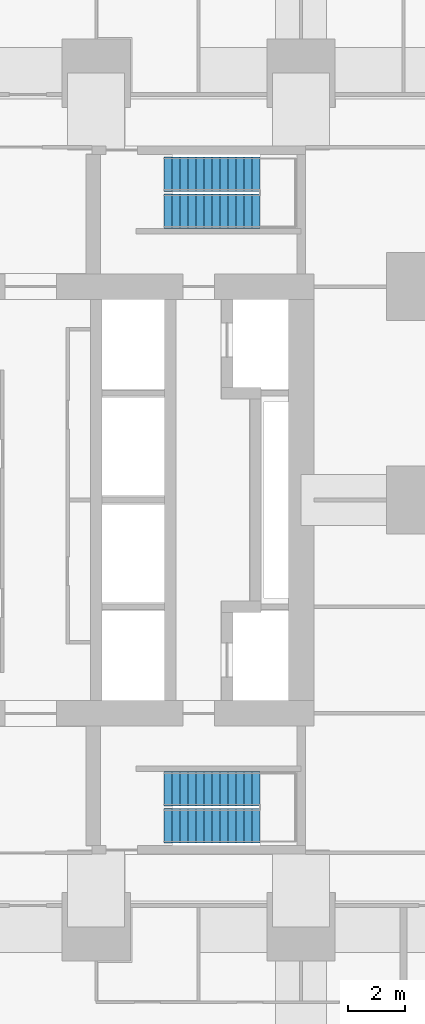
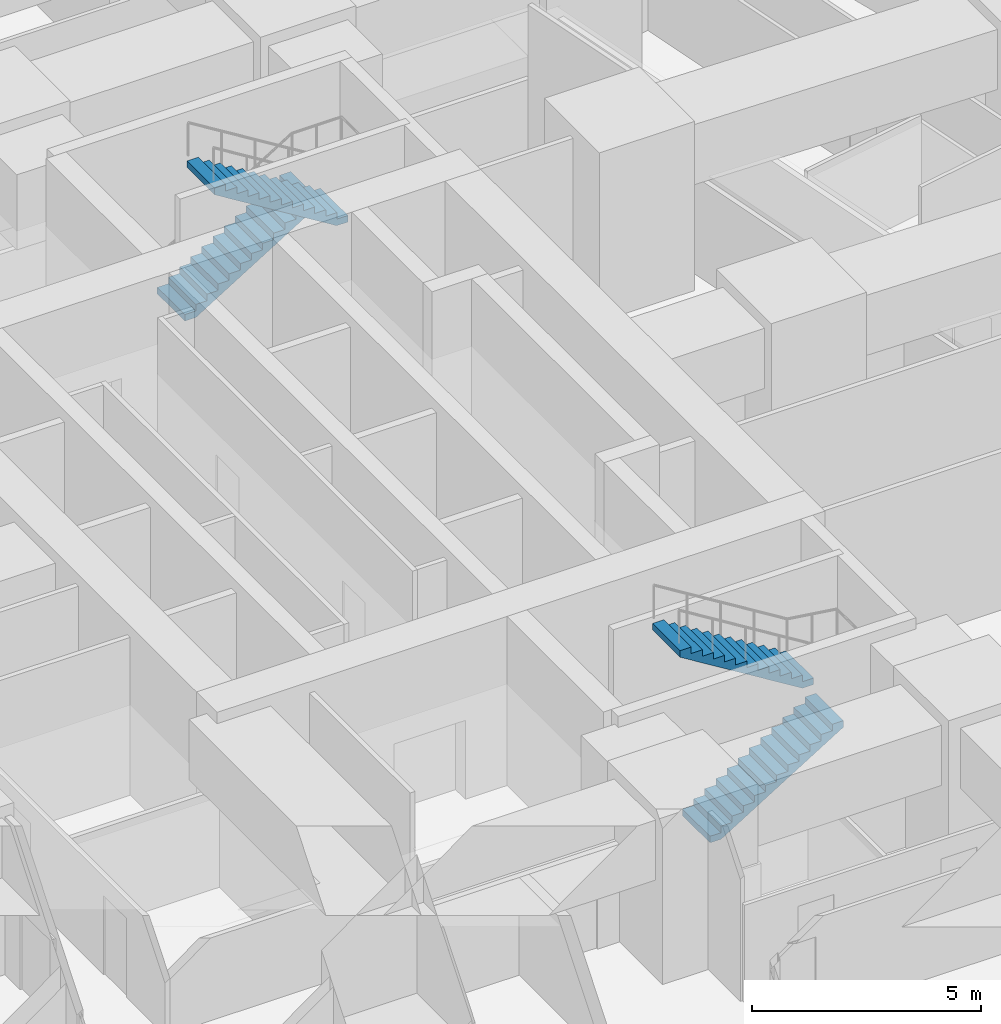
# One storey, part 20 of 22: 4 stair flights, 2 elements without a shape of their own.
"""IFC4 building model written with IfcOpenShell, lengths in metres."""

import ifcopenshell
import ifcopenshell.guid

model = None  # the IFC model being written
_history = None  # IfcOwnerHistory: only IFC2X3 demands one
_inside = {}  # id of a spatial element -> (the spatial element, [elements in it])
_under = {}  # id of a project, library or spatial element -> (it, [spatial elements below it])
_declared = {}  # id of a project -> (the project, [libraries it declares])
_typed = {}  # id of a type object -> (the type object, [elements of that type])
_made_of = {}  # id of a material, layer set ... -> (it, [elements and type objects made of it])


def new_model(schema):
    """Start an empty IFC model of exactly this schema.

    Asked for "IFC4X3", IfcOpenShell would pick the latest addendum, in which some entities
    have other attributes; the version numbers below select the first issue.
    IFC2X3 requires an IfcOwnerHistory on every rooted entity: one is made here for all.
    """
    global model, _history
    if schema == "IFC4X3":
        model = ifcopenshell.file(schema_version=(4, 3, 0, 0))
    else:
        model = ifcopenshell.file(schema=schema)
    _inside.clear()
    _under.clear()
    _declared.clear()
    _typed.clear()
    _made_of.clear()
    _history = None
    if model.schema == "IFC2X3":
        org = make("IfcOrganization", Name="unknown")
        user = make(
            "IfcPersonAndOrganization",
            ThePerson=make("IfcPerson", FamilyName="unknown"),
            TheOrganization=org,
        )
        app = make(
            "IfcApplication",
            ApplicationDeveloper=org,
            Version="unknown",
            ApplicationFullName="unknown",
            ApplicationIdentifier="unknown",
        )
        _history = make(
            "IfcOwnerHistory",
            OwningUser=user,
            OwningApplication=app,
            ChangeAction="ADDED",
            CreationDate=0,
        )
    return model


def make(cls, **values):
    """One entity of the class cls with the attributes given. An attribute that is None is left unset."""
    return model.create_entity(
        cls, **{name: value for name, value in values.items() if value is not None}
    )


def rooted(cls, **values):
    """An entity with a GlobalId (a new one), such as an element, a storey or a relation."""
    return make(cls, GlobalId=ifcopenshell.guid.new(), OwnerHistory=_history, **values)


def si_unit(unit_type, name, prefix=None):
    """IfcSIUnit, for example si_unit("LENGTHUNIT", "METRE", prefix="MILLI")."""
    return make("IfcSIUnit", UnitType=unit_type, Prefix=prefix, Name=name)


def assignment(units):
    """IfcUnitAssignment: the units of a project."""
    return None if units is None else make("IfcUnitAssignment", Units=units)


def point(xyz):
    """IfcCartesianPoint."""
    return None if xyz is None else make("IfcCartesianPoint", Coordinates=xyz)


def direction(xyz):
    """IfcDirection."""
    return None if xyz is None else make("IfcDirection", DirectionRatios=xyz)


def frame(location, z_axis=None, x_axis=None):
    """IfcAxis2Placement3D, a coordinate frame: its origin and axes. An axis left out is left unset."""
    return make(
        "IfcAxis2Placement3D",
        Location=point(location),
        Axis=direction(z_axis),
        RefDirection=direction(x_axis),
    )


def origin():
    """The frame at (0, 0, 0) with its axes left unset."""
    return frame((0.0, 0.0, 0.0))


def place(relative_to, where):
    """IfcLocalPlacement: puts the frame where relative to a parent placement (None: the world)."""
    return make(
        "IfcLocalPlacement", PlacementRelTo=relative_to, RelativePlacement=where
    )


def context(
    kind, dimensions, precision=None, world=None, true_north=None, identifier=None
):
    """IfcGeometricRepresentationContext, for example the 3D "Model" context."""
    return make(
        "IfcGeometricRepresentationContext",
        ContextIdentifier=identifier,
        ContextType=kind,
        CoordinateSpaceDimension=dimensions,
        Precision=precision,
        WorldCoordinateSystem=world,
        TrueNorth=true_north,
    )


def subcontext(parent, identifier, kind, view, scale=None):
    """IfcGeometricRepresentationSubContext, for example "Body" below "Model"."""
    return make(
        "IfcGeometricRepresentationSubContext",
        ContextIdentifier=identifier,
        ContextType=kind,
        ParentContext=parent,
        TargetScale=scale,
        TargetView=view,
    )


def project(units=None, contexts=None):
    """IfcProject with its units and contexts."""
    return rooted(
        "IfcProject",
        Name="project",
        RepresentationContexts=contexts,
        UnitsInContext=assignment(units),
    )


def spatial(cls, under=None, at=None, **own):
    """A site, building, storey or space (cls), placed at a placement, below another one or the project."""
    s = rooted(cls, ObjectPlacement=at, **own)
    if under is not None:
        _under.setdefault(under.id(), (under, []))[1].append(s)
    return s


def point_list(points):
    """IfcCartesianPointList2D or 3D."""
    cls = (
        "IfcCartesianPointList2D" if len(points[0]) == 2 else "IfcCartesianPointList3D"
    )
    return make(cls, CoordList=points)


def triangles(points, corners, closed=None, point_numbers=None):
    """IfcTriangulatedFaceSet: each triangle names its three corners, points numbered from 1."""
    return make(
        "IfcTriangulatedFaceSet",
        Coordinates=point_list(points),
        Closed=closed,
        CoordIndex=corners,
        PnIndex=point_numbers,
    )


def shape(context_of_items, identifier, shape_type, items):
    """IfcShapeRepresentation: the items that make up one representation, for example the "Body"."""
    return make(
        "IfcShapeRepresentation",
        ContextOfItems=context_of_items,
        RepresentationIdentifier=identifier,
        RepresentationType=shape_type,
        Items=items,
    )


def material(Name=None, Category=None):
    """IfcMaterial."""
    return make("IfcMaterial", Name=Name, Category=Category)


def made_of(thing, what):
    """Note that an element or type object is made of a material, layer set ...; save() writes the relation."""
    if what is not None:
        _made_of.setdefault(what.id(), (what, []))[1].append(thing)
    return thing


def type_object(cls, material=None, **own):
    """A type object (cls), such as IfcWallType, which elements share."""
    return made_of(rooted(cls, **own), material)


def element(
    cls,
    number,
    at=None,
    inside=None,
    cuts=None,
    type_object=None,
    material=None,
    context=None,
    identifier="Body",
    shape_type=None,
    held_by="IfcProductDefinitionShape",
    body=None,
    shapes=None,
    **own,
):
    """One element of the class cls, such as IfcWall. Its Tag is "e" and its number.

    at: its placement. inside: the storey or other place that contains it. cuts: it is an
    opening in that element (IfcRelVoidsElement). A single representation is given by context,
    identifier, shape_type and body (its items); several are given by shapes. held_by: the class
    of the entity that holds the representations. save() writes the other relations.
    """
    e = rooted(cls, Tag="e%d" % number, ObjectPlacement=at, **own)
    if body is not None:
        shapes = [shape(context, identifier, shape_type, body)]
    if shapes is not None:
        e.Representation = make(held_by, Representations=shapes)
    if inside is not None:
        _inside.setdefault(inside.id(), (inside, []))[1].append(e)
    if cuts is not None:
        rooted(
            "IfcRelVoidsElement", RelatingBuildingElement=cuts, RelatedOpeningElement=e
        )
    if type_object is not None:
        _typed.setdefault(type_object.id(), (type_object, []))[1].append(e)
    return made_of(e, material)


def aggregate(whole, parts):
    """IfcRelAggregates: a whole, such as a stair, and the parts it consists of."""
    return rooted("IfcRelAggregates", RelatingObject=whole, RelatedObjects=parts)


def save(model, path):
    """Write the relations noted so far, then the file.

    IfcRelAggregates (storeys below a building ...), IfcRelContainedInSpatialStructure (elements
    in a storey), IfcRelDefinesByType, IfcRelAssociatesMaterial and IfcRelDeclares: one each for
    every whole, place, type object, material and project.
    """
    for whole, parts in _under.values():
        aggregate(whole, parts)
    for where, things in _inside.values():
        rooted(
            "IfcRelContainedInSpatialStructure",
            RelatedElements=things,
            RelatingStructure=where,
        )
    for kind, things in _typed.values():
        rooted("IfcRelDefinesByType", RelatedObjects=things, RelatingType=kind)
    for what, things in _made_of.values():
        rooted("IfcRelAssociatesMaterial", RelatedObjects=things, RelatingMaterial=what)
    for by, libraries in _declared.values():
        rooted("IfcRelDeclares", RelatingContext=by, RelatedDefinitions=libraries)
    model.write(path)


model = new_model("IFC4")

# Units and contexts
model_context = context("Model", 3, precision=1e-05, world=origin(), true_north=direction((0.0, 1.0)))
body_context = subcontext(model_context, "Body", "Model", "MODEL_VIEW")
ifc_project = project(units=[si_unit("LENGTHUNIT", "METRE"), si_unit("AREAUNIT", "SQUARE_METRE"), si_unit("VOLUMEUNIT", "CUBIC_METRE"), si_unit("PLANEANGLEUNIT", "RADIAN"), si_unit("MASSUNIT", "GRAM", prefix="KILO")], contexts=[model_context])

# Site, building, storey
site_placement = place(None, origin())
site = spatial("IfcSite", under=ifc_project, at=site_placement, CompositionType="ELEMENT")
building_placement = place(site_placement, origin())
building = spatial("IfcBuilding", under=site, at=building_placement, Name="Sheger Commons Tower", CompositionType="ELEMENT")
storey_placement = place(building_placement, frame((0.0, 0.0, 10.10009765625)))
storey = spatial("IfcBuildingStorey", under=building, at=storey_placement, Name="L02", CompositionType="ELEMENT", Elevation=10.10009765625)

# Stair, stair flights
ifc_material_1 = material(Name="Concrete C35/45", Category="concrete")
stair_type = type_object("IfcStairType", Name="HALF-TURN STAIR 1200 RISE 4500", PredefinedType="HALF_TURN_STAIR", material=ifc_material_1)
stair_1_placement = place(storey_placement, origin())
stair_1 = element("IfcStair", 1, at=stair_1_placement, inside=storey, type_object=stair_type, Name="Stair S1 L02", PredefinedType="HALF_TURN_STAIR")
ifc_material_2 = material(Name="Concrete C35/45", Category="concrete")
stair_flight_type = type_object("IfcStairFlightType", Name="STAIR FLIGHT 1200 13 RISERS OF 173", PredefinedType="STRAIGHT", material=ifc_material_2)
stair_flight_1_placement = place(storey_placement, frame((23.989990234375, 11.050048828125, 0.0), z_axis=(0.0, 0.0, 1.0), x_axis=(1.0, 0.0, 0.0)))
stair_flight_1 = element("IfcStairFlight", 2, at=stair_flight_1_placement, type_object=stair_flight_type, Name="S1 flight 1", NumberOfRisers=13, NumberOfTreads=12, PredefinedType="STRAIGHT", RiserHeight=0.173076923, TreadLength=0.28, context=body_context, shape_type="Tessellation", body=[
    triangles([(0.0, 0.5999755859375, 0.0), (0.0, 0.5999755859375, 0.173095703125), (0.280029296875, 0.5999755859375, 0.173095703125), (0.280029296875, 0.5999755859375, 0.34619140625), (0.56005859375, 0.5999755859375, 0.34619140625), (0.56005859375, 0.5999755859375, 0.519287109375), (0.840087890625, 0.5999755859375, 0.519287109375), (0.840087890625, 0.5999755859375, 0.6923828125), (1.1201171875, 0.5999755859375, 0.6923828125), (1.1201171875, 0.5999755859375, 0.865478515625), (1.39990234375, 0.5999755859375, 0.865478515625), (1.39990234375, 0.5999755859375, 1.03857421875), (1.679931640625, 0.5999755859375, 1.03857421875), (1.679931640625, 0.5999755859375, 1.21142578125), (1.9599609375, 0.5999755859375, 1.21142578125), (1.9599609375, 0.5999755859375, 1.384521484375), (2.239990234375, 0.5999755859375, 1.384521484375), (2.239990234375, 0.5999755859375, 1.5576171875), (2.52001953125, 0.5999755859375, 1.5576171875), (2.52001953125, 0.5999755859375, 1.730712890625), (2.800048828125, 0.5999755859375, 1.730712890625), (2.800048828125, 0.5999755859375, 1.90380859375), (3.080078125, 0.5999755859375, 1.90380859375), (3.080078125, 0.5999755859375, 2.076904296875), (3.360107421875, 0.5999755859375, 2.076904296875), (3.360107421875, 0.5999755859375, 1.900634765625), (0.28515625, 0.5999755859375, 0.0), (0.0, -0.5999755859375, 0.0), (0.0, -0.5999755859375, 0.173095703125), (0.280029296875, -0.5999755859375, 0.173095703125), (0.280029296875, -0.5999755859375, 0.34619140625), (0.56005859375, -0.5999755859375, 0.34619140625), (0.56005859375, -0.5999755859375, 0.519287109375), (0.840087890625, -0.5999755859375, 0.519287109375), (0.840087890625, -0.5999755859375, 0.6923828125), (1.1201171875, -0.5999755859375, 0.6923828125), (1.1201171875, -0.5999755859375, 0.865478515625), (1.39990234375, -0.5999755859375, 0.865478515625), (1.39990234375, -0.5999755859375, 1.03857421875), (1.679931640625, -0.5999755859375, 1.03857421875), (1.679931640625, -0.5999755859375, 1.21142578125), (1.9599609375, -0.5999755859375, 1.21142578125), (1.9599609375, -0.5999755859375, 1.384521484375), (2.239990234375, -0.5999755859375, 1.384521484375), (2.239990234375, -0.5999755859375, 1.5576171875), (2.52001953125, -0.5999755859375, 1.5576171875), (2.52001953125, -0.5999755859375, 1.730712890625), (2.800048828125, -0.5999755859375, 1.730712890625), (2.800048828125, -0.5999755859375, 1.90380859375), (3.080078125, -0.5999755859375, 1.90380859375), (3.080078125, -0.5999755859375, 2.076904296875), (3.360107421875, -0.5999755859375, 2.076904296875), (3.360107421875, -0.5999755859375, 1.900634765625), (0.28515625, -0.5999755859375, 0.0), (0.0, 0.0, 0.0865478515625), (0.1400146484375, 0.0, 0.173095703125), (0.280029296875, 0.0, 0.2596435546875), (0.4200439453125, 0.0, 0.34619140625), (0.56005859375, 0.0, 0.4327392578125), (0.7000732421875, 0.0, 0.519287109375), (0.840087890625, 0.0, 0.6058349609375), (0.9801025390625, 0.0, 0.6923828125), (1.1201171875, 0.0, 0.7789306640625), (1.260009765625, 0.0, 0.865478515625), (1.39990234375, 0.0, 0.9520263671875), (1.5399169921875, 0.0, 1.03857421875), (1.679931640625, 0.0, 1.125), (1.8199462890625, 0.0, 1.21142578125), (1.9599609375, 0.0, 1.2979736328125), (2.0999755859375, 0.0, 1.384521484375), (2.239990234375, 0.0, 1.4710693359375), (2.3800048828125, 0.0, 1.5576171875), (2.52001953125, 0.0, 1.6441650390625), (2.6600341796875, 0.0, 1.730712890625), (2.800048828125, 0.0, 1.8172607421875), (2.9400634765625, 0.0, 1.90380859375), (3.080078125, 0.0, 1.9903564453125), (3.2200927734375, 0.0, 2.076904296875), (3.360107421875, 0.0, 1.98876953125), (1.8226318359375, 0.0, 0.9503173828125), (0.142578125, 0.0, 0.0)], [[1, 26, 27], [28, 54, 53], [26, 24, 25], [53, 52, 51], [26, 23, 24], [53, 51, 50], [26, 22, 23], [53, 50, 49], [26, 21, 22], [53, 49, 48], [21, 19, 20], [48, 47, 46], [26, 19, 21], [53, 48, 46], [19, 17, 18], [46, 45, 44], [26, 17, 19], [53, 46, 44], [17, 15, 16], [44, 43, 42], [26, 15, 17], [53, 44, 42], [1, 15, 26], [28, 53, 42], [15, 13, 14], [42, 41, 40], [13, 11, 12], [40, 39, 38], [15, 11, 13], [42, 40, 38], [11, 9, 10], [38, 37, 36], [15, 9, 11], [42, 38, 36], [9, 7, 8], [36, 35, 34], [15, 7, 9], [42, 36, 34], [7, 5, 6], [34, 33, 32], [15, 5, 7], [42, 34, 32], [5, 3, 4], [32, 31, 30], [15, 3, 5], [42, 32, 30], [1, 3, 15], [28, 42, 30], [3, 1, 2], [30, 29, 28], [1, 55, 2], [2, 55, 29], [29, 55, 28], [28, 55, 1], [2, 56, 3], [3, 56, 30], [30, 56, 29], [29, 56, 2], [3, 57, 4], [4, 57, 31], [31, 57, 30], [30, 57, 3], [4, 58, 5], [5, 58, 32], [32, 58, 31], [31, 58, 4], [5, 59, 6], [6, 59, 33], [33, 59, 32], [32, 59, 5], [6, 60, 7], [7, 60, 34], [34, 60, 33], [33, 60, 6], [7, 61, 8], [8, 61, 35], [35, 61, 34], [34, 61, 7], [8, 62, 9], [9, 62, 36], [36, 62, 35], [35, 62, 8], [9, 63, 10], [10, 63, 37], [37, 63, 36], [36, 63, 9], [10, 64, 11], [11, 64, 38], [38, 64, 37], [37, 64, 10], [11, 65, 12], [12, 65, 39], [39, 65, 38], [38, 65, 11], [12, 66, 13], [13, 66, 40], [40, 66, 39], [39, 66, 12], [13, 67, 14], [14, 67, 41], [41, 67, 40], [40, 67, 13], [14, 68, 15], [15, 68, 42], [42, 68, 41], [41, 68, 14], [15, 69, 16], [16, 69, 43], [43, 69, 42], [42, 69, 15], [16, 70, 17], [17, 70, 44], [44, 70, 43], [43, 70, 16], [17, 71, 18], [18, 71, 45], [45, 71, 44], [44, 71, 17], [18, 72, 19], [19, 72, 46], [46, 72, 45], [45, 72, 18], [19, 73, 20], [20, 73, 47], [47, 73, 46], [46, 73, 19], [20, 74, 21], [21, 74, 48], [48, 74, 47], [47, 74, 20], [21, 75, 22], [22, 75, 49], [49, 75, 48], [48, 75, 21], [22, 76, 23], [23, 76, 50], [50, 76, 49], [49, 76, 22], [23, 77, 24], [24, 77, 51], [51, 77, 50], [50, 77, 23], [24, 78, 25], [25, 78, 52], [52, 78, 51], [51, 78, 24], [25, 79, 26], [26, 79, 53], [53, 79, 52], [52, 79, 25], [26, 80, 27], [27, 80, 54], [54, 80, 53], [53, 80, 26], [27, 81, 1], [1, 81, 28], [28, 81, 54], [54, 81, 27]], closed=True),
])
stair_flight_2_placement = place(storey_placement, frame((27.35009765625, 12.35009765625, 2.25), z_axis=(0.0, 0.0, 1.0), x_axis=(-1.0, 0.0, 0.0)))
stair_flight_2 = element("IfcStairFlight", 3, at=stair_flight_2_placement, type_object=stair_flight_type, Name="S1 flight 2", NumberOfRisers=13, NumberOfTreads=12, PredefinedType="STRAIGHT", RiserHeight=0.173076923, TreadLength=0.28, context=body_context, shape_type="Tessellation", body=[
    triangles([(0.0, 0.5999755859375, 0.0), (0.0, 0.5999755859375, 0.173095703125), (0.280029296875, 0.5999755859375, 0.173095703125), (0.280029296875, 0.5999755859375, 0.34619140625), (0.56005859375, 0.5999755859375, 0.34619140625), (0.56005859375, 0.5999755859375, 0.519287109375), (0.840087890625, 0.5999755859375, 0.519287109375), (0.840087890625, 0.5999755859375, 0.6923828125), (1.1201171875, 0.5999755859375, 0.6923828125), (1.1201171875, 0.5999755859375, 0.865478515625), (1.39990234375, 0.5999755859375, 0.865478515625), (1.39990234375, 0.5999755859375, 1.03857421875), (1.679931640625, 0.5999755859375, 1.03857421875), (1.679931640625, 0.5999755859375, 1.21142578125), (1.9599609375, 0.5999755859375, 1.21142578125), (1.9599609375, 0.5999755859375, 1.384521484375), (2.239990234375, 0.5999755859375, 1.384521484375), (2.239990234375, 0.5999755859375, 1.5576171875), (2.52001953125, 0.5999755859375, 1.5576171875), (2.52001953125, 0.5999755859375, 1.730712890625), (2.800048828125, 0.5999755859375, 1.730712890625), (2.800048828125, 0.5999755859375, 1.90380859375), (3.080078125, 0.5999755859375, 1.90380859375), (3.080078125, 0.5999755859375, 2.076904296875), (3.360107421875, 0.5999755859375, 2.076904296875), (3.360107421875, 0.5999755859375, 1.900634765625), (0.28515625, 0.5999755859375, 0.0), (0.0, -0.5999755859375, 0.0), (0.0, -0.5999755859375, 0.173095703125), (0.280029296875, -0.5999755859375, 0.173095703125), (0.280029296875, -0.5999755859375, 0.34619140625), (0.56005859375, -0.5999755859375, 0.34619140625), (0.56005859375, -0.5999755859375, 0.519287109375), (0.840087890625, -0.5999755859375, 0.519287109375), (0.840087890625, -0.5999755859375, 0.6923828125), (1.1201171875, -0.5999755859375, 0.6923828125), (1.1201171875, -0.5999755859375, 0.865478515625), (1.39990234375, -0.5999755859375, 0.865478515625), (1.39990234375, -0.5999755859375, 1.03857421875), (1.679931640625, -0.5999755859375, 1.03857421875), (1.679931640625, -0.5999755859375, 1.21142578125), (1.9599609375, -0.5999755859375, 1.21142578125), (1.9599609375, -0.5999755859375, 1.384521484375), (2.239990234375, -0.5999755859375, 1.384521484375), (2.239990234375, -0.5999755859375, 1.5576171875), (2.52001953125, -0.5999755859375, 1.5576171875), (2.52001953125, -0.5999755859375, 1.730712890625), (2.800048828125, -0.5999755859375, 1.730712890625), (2.800048828125, -0.5999755859375, 1.90380859375), (3.080078125, -0.5999755859375, 1.90380859375), (3.080078125, -0.5999755859375, 2.076904296875), (3.360107421875, -0.5999755859375, 2.076904296875), (3.360107421875, -0.5999755859375, 1.900634765625), (0.28515625, -0.5999755859375, 0.0), (0.0, 0.0, 0.0865478515625), (0.1400146484375, 0.0, 0.173095703125), (0.280029296875, 0.0, 0.2596435546875), (0.4200439453125, 0.0, 0.34619140625), (0.56005859375, 0.0, 0.4327392578125), (0.7000732421875, 0.0, 0.519287109375), (0.840087890625, 0.0, 0.6058349609375), (0.9801025390625, 0.0, 0.6923828125), (1.1201171875, 0.0, 0.7789306640625), (1.260009765625, 0.0, 0.865478515625), (1.39990234375, 0.0, 0.9520263671875), (1.5399169921875, 0.0, 1.03857421875), (1.679931640625, 0.0, 1.125), (1.8199462890625, 0.0, 1.21142578125), (1.9599609375, 0.0, 1.2979736328125), (2.0999755859375, 0.0, 1.384521484375), (2.239990234375, 0.0, 1.4710693359375), (2.3800048828125, 0.0, 1.5576171875), (2.52001953125, 0.0, 1.6441650390625), (2.6600341796875, 0.0, 1.730712890625), (2.800048828125, 0.0, 1.8172607421875), (2.9400634765625, 0.0, 1.90380859375), (3.080078125, 0.0, 1.9903564453125), (3.2200927734375, 0.0, 2.076904296875), (3.360107421875, 0.0, 1.98876953125), (1.8226318359375, 0.0, 0.9503173828125), (0.142578125, 0.0, 0.0)], [[1, 26, 27], [28, 54, 53], [26, 24, 25], [53, 52, 51], [26, 23, 24], [53, 51, 50], [26, 22, 23], [53, 50, 49], [26, 21, 22], [53, 49, 48], [21, 19, 20], [48, 47, 46], [26, 19, 21], [53, 48, 46], [19, 17, 18], [46, 45, 44], [26, 17, 19], [53, 46, 44], [17, 15, 16], [44, 43, 42], [26, 15, 17], [53, 44, 42], [1, 15, 26], [28, 53, 42], [15, 13, 14], [42, 41, 40], [13, 11, 12], [40, 39, 38], [15, 11, 13], [42, 40, 38], [11, 9, 10], [38, 37, 36], [15, 9, 11], [42, 38, 36], [9, 7, 8], [36, 35, 34], [15, 7, 9], [42, 36, 34], [7, 5, 6], [34, 33, 32], [15, 5, 7], [42, 34, 32], [5, 3, 4], [32, 31, 30], [15, 3, 5], [42, 32, 30], [1, 3, 15], [28, 42, 30], [3, 1, 2], [30, 29, 28], [1, 55, 2], [2, 55, 29], [29, 55, 28], [28, 55, 1], [2, 56, 3], [3, 56, 30], [30, 56, 29], [29, 56, 2], [3, 57, 4], [4, 57, 31], [31, 57, 30], [30, 57, 3], [4, 58, 5], [5, 58, 32], [32, 58, 31], [31, 58, 4], [5, 59, 6], [6, 59, 33], [33, 59, 32], [32, 59, 5], [6, 60, 7], [7, 60, 34], [34, 60, 33], [33, 60, 6], [7, 61, 8], [8, 61, 35], [35, 61, 34], [34, 61, 7], [8, 62, 9], [9, 62, 36], [36, 62, 35], [35, 62, 8], [9, 63, 10], [10, 63, 37], [37, 63, 36], [36, 63, 9], [10, 64, 11], [11, 64, 38], [38, 64, 37], [37, 64, 10], [11, 65, 12], [12, 65, 39], [39, 65, 38], [38, 65, 11], [12, 66, 13], [13, 66, 40], [40, 66, 39], [39, 66, 12], [13, 67, 14], [14, 67, 41], [41, 67, 40], [40, 67, 13], [14, 68, 15], [15, 68, 42], [42, 68, 41], [41, 68, 14], [15, 69, 16], [16, 69, 43], [43, 69, 42], [42, 69, 15], [16, 70, 17], [17, 70, 44], [44, 70, 43], [43, 70, 16], [17, 71, 18], [18, 71, 45], [45, 71, 44], [44, 71, 17], [18, 72, 19], [19, 72, 46], [46, 72, 45], [45, 72, 18], [19, 73, 20], [20, 73, 47], [47, 73, 46], [46, 73, 19], [20, 74, 21], [21, 74, 48], [48, 74, 47], [47, 74, 20], [21, 75, 22], [22, 75, 49], [49, 75, 48], [48, 75, 21], [22, 76, 23], [23, 76, 50], [50, 76, 49], [49, 76, 22], [23, 77, 24], [24, 77, 51], [51, 77, 50], [50, 77, 23], [24, 78, 25], [25, 78, 52], [52, 78, 51], [51, 78, 24], [25, 79, 26], [26, 79, 53], [53, 79, 52], [52, 79, 25], [26, 80, 27], [27, 80, 54], [54, 80, 53], [53, 80, 26], [27, 81, 1], [1, 81, 28], [28, 81, 54], [54, 81, 27]], closed=True),
])
aggregate(stair_1, [stair_flight_1, stair_flight_2])

stair_2_placement = place(storey_placement, origin())
stair_2 = element("IfcStair", 4, at=stair_2_placement, inside=storey, type_object=stair_type, Name="Stair S2 L02", PredefinedType="HALF_TURN_STAIR")
stair_flight_3_placement = place(storey_placement, frame((23.989990234375, 33.949951171875, 0.0), z_axis=(0.0, 0.0, 1.0), x_axis=(1.0, 0.0, 0.0)))
stair_flight_3 = element("IfcStairFlight", 5, at=stair_flight_3_placement, type_object=stair_flight_type, Name="S2 flight 1", NumberOfRisers=13, NumberOfTreads=12, PredefinedType="STRAIGHT", RiserHeight=0.173076923, TreadLength=0.28, context=body_context, shape_type="Tessellation", body=[
    triangles([(0.0, 0.5999755859375, 0.0), (0.0, 0.5999755859375, 0.173095703125), (0.280029296875, 0.5999755859375, 0.173095703125), (0.280029296875, 0.5999755859375, 0.34619140625), (0.56005859375, 0.5999755859375, 0.34619140625), (0.56005859375, 0.5999755859375, 0.519287109375), (0.840087890625, 0.5999755859375, 0.519287109375), (0.840087890625, 0.5999755859375, 0.6923828125), (1.1201171875, 0.5999755859375, 0.6923828125), (1.1201171875, 0.5999755859375, 0.865478515625), (1.39990234375, 0.5999755859375, 0.865478515625), (1.39990234375, 0.5999755859375, 1.03857421875), (1.679931640625, 0.5999755859375, 1.03857421875), (1.679931640625, 0.5999755859375, 1.21142578125), (1.9599609375, 0.5999755859375, 1.21142578125), (1.9599609375, 0.5999755859375, 1.384521484375), (2.239990234375, 0.5999755859375, 1.384521484375), (2.239990234375, 0.5999755859375, 1.5576171875), (2.52001953125, 0.5999755859375, 1.5576171875), (2.52001953125, 0.5999755859375, 1.730712890625), (2.800048828125, 0.5999755859375, 1.730712890625), (2.800048828125, 0.5999755859375, 1.90380859375), (3.080078125, 0.5999755859375, 1.90380859375), (3.080078125, 0.5999755859375, 2.076904296875), (3.360107421875, 0.5999755859375, 2.076904296875), (3.360107421875, 0.5999755859375, 1.900634765625), (0.28515625, 0.5999755859375, 0.0), (0.0, -0.5999755859375, 0.0), (0.0, -0.5999755859375, 0.173095703125), (0.280029296875, -0.5999755859375, 0.173095703125), (0.280029296875, -0.5999755859375, 0.34619140625), (0.56005859375, -0.5999755859375, 0.34619140625), (0.56005859375, -0.5999755859375, 0.519287109375), (0.840087890625, -0.5999755859375, 0.519287109375), (0.840087890625, -0.5999755859375, 0.6923828125), (1.1201171875, -0.5999755859375, 0.6923828125), (1.1201171875, -0.5999755859375, 0.865478515625), (1.39990234375, -0.5999755859375, 0.865478515625), (1.39990234375, -0.5999755859375, 1.03857421875), (1.679931640625, -0.5999755859375, 1.03857421875), (1.679931640625, -0.5999755859375, 1.21142578125), (1.9599609375, -0.5999755859375, 1.21142578125), (1.9599609375, -0.5999755859375, 1.384521484375), (2.239990234375, -0.5999755859375, 1.384521484375), (2.239990234375, -0.5999755859375, 1.5576171875), (2.52001953125, -0.5999755859375, 1.5576171875), (2.52001953125, -0.5999755859375, 1.730712890625), (2.800048828125, -0.5999755859375, 1.730712890625), (2.800048828125, -0.5999755859375, 1.90380859375), (3.080078125, -0.5999755859375, 1.90380859375), (3.080078125, -0.5999755859375, 2.076904296875), (3.360107421875, -0.5999755859375, 2.076904296875), (3.360107421875, -0.5999755859375, 1.900634765625), (0.28515625, -0.5999755859375, 0.0), (0.0, 0.0, 0.0865478515625), (0.1400146484375, 0.0, 0.173095703125), (0.280029296875, 0.0, 0.2596435546875), (0.4200439453125, 0.0, 0.34619140625), (0.56005859375, 0.0, 0.4327392578125), (0.7000732421875, 0.0, 0.519287109375), (0.840087890625, 0.0, 0.6058349609375), (0.9801025390625, 0.0, 0.6923828125), (1.1201171875, 0.0, 0.7789306640625), (1.260009765625, 0.0, 0.865478515625), (1.39990234375, 0.0, 0.9520263671875), (1.5399169921875, 0.0, 1.03857421875), (1.679931640625, 0.0, 1.125), (1.8199462890625, 0.0, 1.21142578125), (1.9599609375, 0.0, 1.2979736328125), (2.0999755859375, 0.0, 1.384521484375), (2.239990234375, 0.0, 1.4710693359375), (2.3800048828125, 0.0, 1.5576171875), (2.52001953125, 0.0, 1.6441650390625), (2.6600341796875, 0.0, 1.730712890625), (2.800048828125, 0.0, 1.8172607421875), (2.9400634765625, 0.0, 1.90380859375), (3.080078125, 0.0, 1.9903564453125), (3.2200927734375, 0.0, 2.076904296875), (3.360107421875, 0.0, 1.98876953125), (1.8226318359375, 0.0, 0.9503173828125), (0.142578125, 0.0, 0.0)], [[1, 26, 27], [28, 54, 53], [26, 24, 25], [53, 52, 51], [26, 23, 24], [53, 51, 50], [26, 22, 23], [53, 50, 49], [26, 21, 22], [53, 49, 48], [21, 19, 20], [48, 47, 46], [26, 19, 21], [53, 48, 46], [19, 17, 18], [46, 45, 44], [26, 17, 19], [53, 46, 44], [17, 15, 16], [44, 43, 42], [26, 15, 17], [53, 44, 42], [1, 15, 26], [28, 53, 42], [15, 13, 14], [42, 41, 40], [13, 11, 12], [40, 39, 38], [15, 11, 13], [42, 40, 38], [11, 9, 10], [38, 37, 36], [15, 9, 11], [42, 38, 36], [9, 7, 8], [36, 35, 34], [15, 7, 9], [42, 36, 34], [7, 5, 6], [34, 33, 32], [15, 5, 7], [42, 34, 32], [5, 3, 4], [32, 31, 30], [15, 3, 5], [42, 32, 30], [1, 3, 15], [28, 42, 30], [3, 1, 2], [30, 29, 28], [1, 55, 2], [2, 55, 29], [29, 55, 28], [28, 55, 1], [2, 56, 3], [3, 56, 30], [30, 56, 29], [29, 56, 2], [3, 57, 4], [4, 57, 31], [31, 57, 30], [30, 57, 3], [4, 58, 5], [5, 58, 32], [32, 58, 31], [31, 58, 4], [5, 59, 6], [6, 59, 33], [33, 59, 32], [32, 59, 5], [6, 60, 7], [7, 60, 34], [34, 60, 33], [33, 60, 6], [7, 61, 8], [8, 61, 35], [35, 61, 34], [34, 61, 7], [8, 62, 9], [9, 62, 36], [36, 62, 35], [35, 62, 8], [9, 63, 10], [10, 63, 37], [37, 63, 36], [36, 63, 9], [10, 64, 11], [11, 64, 38], [38, 64, 37], [37, 64, 10], [11, 65, 12], [12, 65, 39], [39, 65, 38], [38, 65, 11], [12, 66, 13], [13, 66, 40], [40, 66, 39], [39, 66, 12], [13, 67, 14], [14, 67, 41], [41, 67, 40], [40, 67, 13], [14, 68, 15], [15, 68, 42], [42, 68, 41], [41, 68, 14], [15, 69, 16], [16, 69, 43], [43, 69, 42], [42, 69, 15], [16, 70, 17], [17, 70, 44], [44, 70, 43], [43, 70, 16], [17, 71, 18], [18, 71, 45], [45, 71, 44], [44, 71, 17], [18, 72, 19], [19, 72, 46], [46, 72, 45], [45, 72, 18], [19, 73, 20], [20, 73, 47], [47, 73, 46], [46, 73, 19], [20, 74, 21], [21, 74, 48], [48, 74, 47], [47, 74, 20], [21, 75, 22], [22, 75, 49], [49, 75, 48], [48, 75, 21], [22, 76, 23], [23, 76, 50], [50, 76, 49], [49, 76, 22], [23, 77, 24], [24, 77, 51], [51, 77, 50], [50, 77, 23], [24, 78, 25], [25, 78, 52], [52, 78, 51], [51, 78, 24], [25, 79, 26], [26, 79, 53], [53, 79, 52], [52, 79, 25], [26, 80, 27], [27, 80, 54], [54, 80, 53], [53, 80, 26], [27, 81, 1], [1, 81, 28], [28, 81, 54], [54, 81, 27]], closed=True),
])
stair_flight_4_placement = place(storey_placement, frame((27.35009765625, 32.64990234375, 2.25), z_axis=(0.0, 0.0, 1.0), x_axis=(-1.0, 0.0, 0.0)))
stair_flight_4 = element("IfcStairFlight", 6, at=stair_flight_4_placement, type_object=stair_flight_type, Name="S2 flight 2", NumberOfRisers=13, NumberOfTreads=12, PredefinedType="STRAIGHT", RiserHeight=0.173076923, TreadLength=0.28, context=body_context, shape_type="Tessellation", body=[
    triangles([(0.0, 0.5999755859375, 0.0), (0.0, 0.5999755859375, 0.173095703125), (0.280029296875, 0.5999755859375, 0.173095703125), (0.280029296875, 0.5999755859375, 0.34619140625), (0.56005859375, 0.5999755859375, 0.34619140625), (0.56005859375, 0.5999755859375, 0.519287109375), (0.840087890625, 0.5999755859375, 0.519287109375), (0.840087890625, 0.5999755859375, 0.6923828125), (1.1201171875, 0.5999755859375, 0.6923828125), (1.1201171875, 0.5999755859375, 0.865478515625), (1.39990234375, 0.5999755859375, 0.865478515625), (1.39990234375, 0.5999755859375, 1.03857421875), (1.679931640625, 0.5999755859375, 1.03857421875), (1.679931640625, 0.5999755859375, 1.21142578125), (1.9599609375, 0.5999755859375, 1.21142578125), (1.9599609375, 0.5999755859375, 1.384521484375), (2.239990234375, 0.5999755859375, 1.384521484375), (2.239990234375, 0.5999755859375, 1.5576171875), (2.52001953125, 0.5999755859375, 1.5576171875), (2.52001953125, 0.5999755859375, 1.730712890625), (2.800048828125, 0.5999755859375, 1.730712890625), (2.800048828125, 0.5999755859375, 1.90380859375), (3.080078125, 0.5999755859375, 1.90380859375), (3.080078125, 0.5999755859375, 2.076904296875), (3.360107421875, 0.5999755859375, 2.076904296875), (3.360107421875, 0.5999755859375, 1.900634765625), (0.28515625, 0.5999755859375, 0.0), (0.0, -0.5999755859375, 0.0), (0.0, -0.5999755859375, 0.173095703125), (0.280029296875, -0.5999755859375, 0.173095703125), (0.280029296875, -0.5999755859375, 0.34619140625), (0.56005859375, -0.5999755859375, 0.34619140625), (0.56005859375, -0.5999755859375, 0.519287109375), (0.840087890625, -0.5999755859375, 0.519287109375), (0.840087890625, -0.5999755859375, 0.6923828125), (1.1201171875, -0.5999755859375, 0.6923828125), (1.1201171875, -0.5999755859375, 0.865478515625), (1.39990234375, -0.5999755859375, 0.865478515625), (1.39990234375, -0.5999755859375, 1.03857421875), (1.679931640625, -0.5999755859375, 1.03857421875), (1.679931640625, -0.5999755859375, 1.21142578125), (1.9599609375, -0.5999755859375, 1.21142578125), (1.9599609375, -0.5999755859375, 1.384521484375), (2.239990234375, -0.5999755859375, 1.384521484375), (2.239990234375, -0.5999755859375, 1.5576171875), (2.52001953125, -0.5999755859375, 1.5576171875), (2.52001953125, -0.5999755859375, 1.730712890625), (2.800048828125, -0.5999755859375, 1.730712890625), (2.800048828125, -0.5999755859375, 1.90380859375), (3.080078125, -0.5999755859375, 1.90380859375), (3.080078125, -0.5999755859375, 2.076904296875), (3.360107421875, -0.5999755859375, 2.076904296875), (3.360107421875, -0.5999755859375, 1.900634765625), (0.28515625, -0.5999755859375, 0.0), (0.0, 0.0, 0.0865478515625), (0.1400146484375, 0.0, 0.173095703125), (0.280029296875, 0.0, 0.2596435546875), (0.4200439453125, 0.0, 0.34619140625), (0.56005859375, 0.0, 0.4327392578125), (0.7000732421875, 0.0, 0.519287109375), (0.840087890625, 0.0, 0.6058349609375), (0.9801025390625, 0.0, 0.6923828125), (1.1201171875, 0.0, 0.7789306640625), (1.260009765625, 0.0, 0.865478515625), (1.39990234375, 0.0, 0.9520263671875), (1.5399169921875, 0.0, 1.03857421875), (1.679931640625, 0.0, 1.125), (1.8199462890625, 0.0, 1.21142578125), (1.9599609375, 0.0, 1.2979736328125), (2.0999755859375, 0.0, 1.384521484375), (2.239990234375, 0.0, 1.4710693359375), (2.3800048828125, 0.0, 1.5576171875), (2.52001953125, 0.0, 1.6441650390625), (2.6600341796875, 0.0, 1.730712890625), (2.800048828125, 0.0, 1.8172607421875), (2.9400634765625, 0.0, 1.90380859375), (3.080078125, 0.0, 1.9903564453125), (3.2200927734375, 0.0, 2.076904296875), (3.360107421875, 0.0, 1.98876953125), (1.8226318359375, 0.0, 0.9503173828125), (0.142578125, 0.0, 0.0)], [[1, 26, 27], [28, 54, 53], [26, 24, 25], [53, 52, 51], [26, 23, 24], [53, 51, 50], [26, 22, 23], [53, 50, 49], [26, 21, 22], [53, 49, 48], [21, 19, 20], [48, 47, 46], [26, 19, 21], [53, 48, 46], [19, 17, 18], [46, 45, 44], [26, 17, 19], [53, 46, 44], [17, 15, 16], [44, 43, 42], [26, 15, 17], [53, 44, 42], [1, 15, 26], [28, 53, 42], [15, 13, 14], [42, 41, 40], [13, 11, 12], [40, 39, 38], [15, 11, 13], [42, 40, 38], [11, 9, 10], [38, 37, 36], [15, 9, 11], [42, 38, 36], [9, 7, 8], [36, 35, 34], [15, 7, 9], [42, 36, 34], [7, 5, 6], [34, 33, 32], [15, 5, 7], [42, 34, 32], [5, 3, 4], [32, 31, 30], [15, 3, 5], [42, 32, 30], [1, 3, 15], [28, 42, 30], [3, 1, 2], [30, 29, 28], [1, 55, 2], [2, 55, 29], [29, 55, 28], [28, 55, 1], [2, 56, 3], [3, 56, 30], [30, 56, 29], [29, 56, 2], [3, 57, 4], [4, 57, 31], [31, 57, 30], [30, 57, 3], [4, 58, 5], [5, 58, 32], [32, 58, 31], [31, 58, 4], [5, 59, 6], [6, 59, 33], [33, 59, 32], [32, 59, 5], [6, 60, 7], [7, 60, 34], [34, 60, 33], [33, 60, 6], [7, 61, 8], [8, 61, 35], [35, 61, 34], [34, 61, 7], [8, 62, 9], [9, 62, 36], [36, 62, 35], [35, 62, 8], [9, 63, 10], [10, 63, 37], [37, 63, 36], [36, 63, 9], [10, 64, 11], [11, 64, 38], [38, 64, 37], [37, 64, 10], [11, 65, 12], [12, 65, 39], [39, 65, 38], [38, 65, 11], [12, 66, 13], [13, 66, 40], [40, 66, 39], [39, 66, 12], [13, 67, 14], [14, 67, 41], [41, 67, 40], [40, 67, 13], [14, 68, 15], [15, 68, 42], [42, 68, 41], [41, 68, 14], [15, 69, 16], [16, 69, 43], [43, 69, 42], [42, 69, 15], [16, 70, 17], [17, 70, 44], [44, 70, 43], [43, 70, 16], [17, 71, 18], [18, 71, 45], [45, 71, 44], [44, 71, 17], [18, 72, 19], [19, 72, 46], [46, 72, 45], [45, 72, 18], [19, 73, 20], [20, 73, 47], [47, 73, 46], [46, 73, 19], [20, 74, 21], [21, 74, 48], [48, 74, 47], [47, 74, 20], [21, 75, 22], [22, 75, 49], [49, 75, 48], [48, 75, 21], [22, 76, 23], [23, 76, 50], [50, 76, 49], [49, 76, 22], [23, 77, 24], [24, 77, 51], [51, 77, 50], [50, 77, 23], [24, 78, 25], [25, 78, 52], [52, 78, 51], [51, 78, 24], [25, 79, 26], [26, 79, 53], [53, 79, 52], [52, 79, 25], [26, 80, 27], [27, 80, 54], [54, 80, 53], [53, 80, 26], [27, 81, 1], [1, 81, 28], [28, 81, 54], [54, 81, 27]], closed=True),
])
aggregate(stair_2, [stair_flight_3, stair_flight_4])

save(model, "model.ifc")
